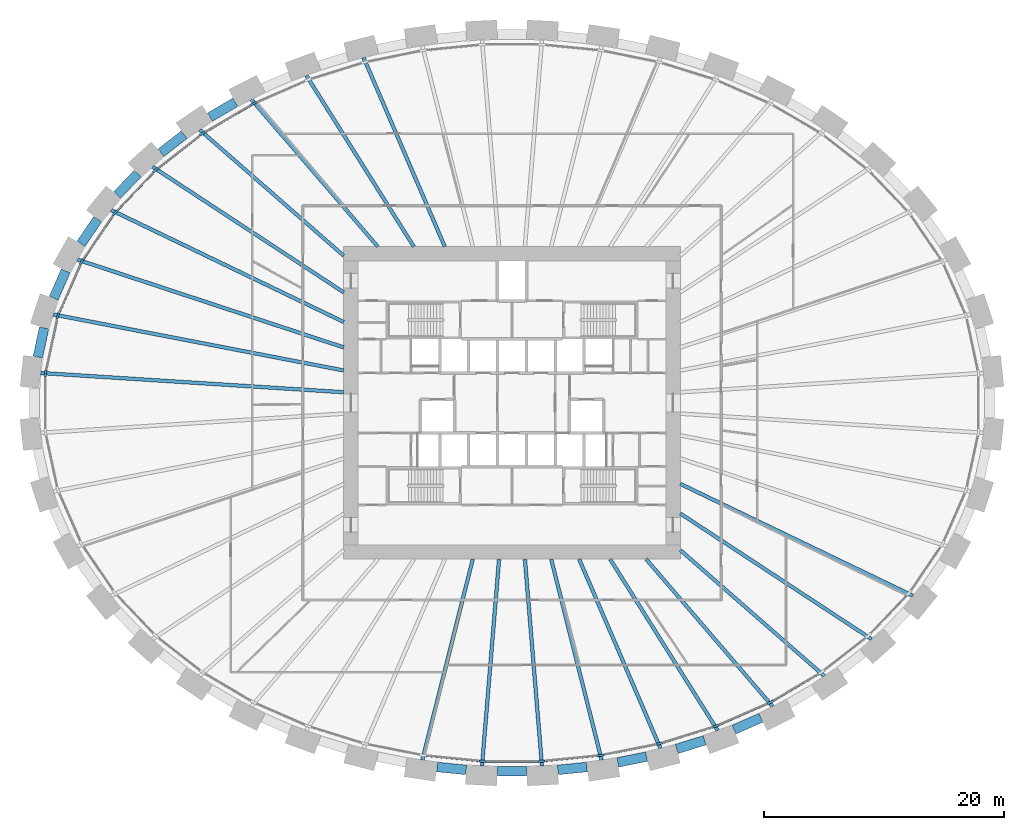
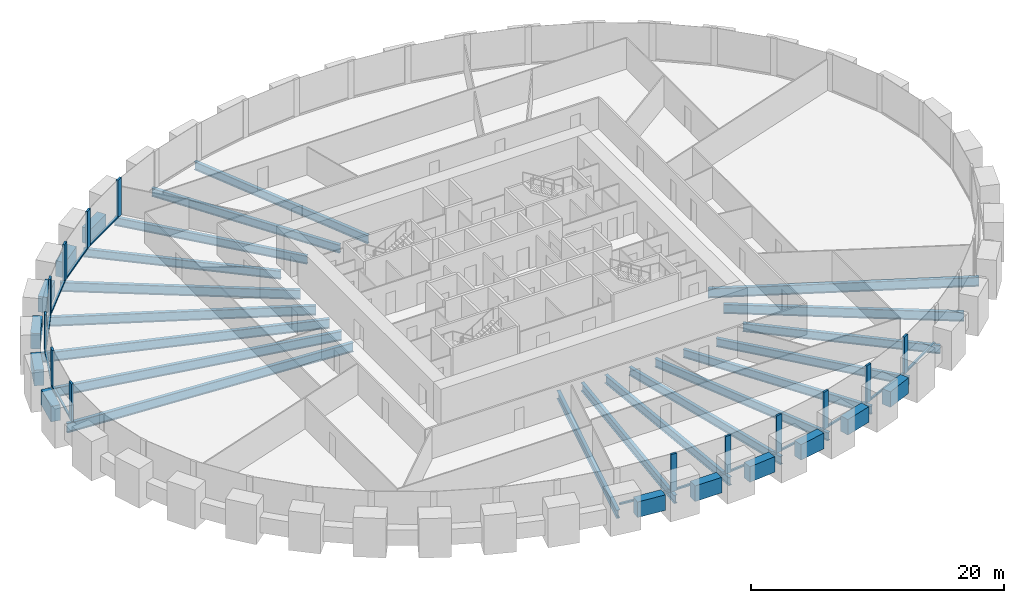
# One storey, part 2 of 11: 31 beams, 26 members, 1 element without a shape of its own.
"""IFC4 building model written with IfcOpenShell, lengths in metres."""

from ifc_helpers import new_model, si_unit, direction, frame, origin, origin_2d, place, context, subcontext, project, spatial, rectangle, i_section, extrude, source, transform, mapped, material, material_profile, profile_set, type_object, element, aggregate, save


model = new_model("IFC4")

# Units and contexts
model_context = context("Model", 3, precision=1e-05, world=origin(), true_north=direction((0.0, 1.0)))
body_context = subcontext(model_context, "Body", "Model", "MODEL_VIEW")
ifc_project = project(units=[si_unit("LENGTHUNIT", "METRE"), si_unit("AREAUNIT", "SQUARE_METRE"), si_unit("VOLUMEUNIT", "CUBIC_METRE"), si_unit("PLANEANGLEUNIT", "RADIAN"), si_unit("MASSUNIT", "GRAM", prefix="KILO")], contexts=[model_context])

# Site, building, storey
site_placement = place(None, origin())
site = spatial("IfcSite", under=ifc_project, at=site_placement, CompositionType="ELEMENT")
building_placement = place(site_placement, origin())
building = spatial("IfcBuilding", under=site, at=building_placement, Name="Embergate Tower", CompositionType="ELEMENT")
storey_placement = place(building_placement, frame((0.0, 0.0, 49.699951171875)))
storey = spatial("IfcBuildingStorey", under=building, at=storey_placement, Name="L08", CompositionType="ELEMENT", Elevation=49.699951171875)

# Beams
ifc_material_1 = material(Name="Concrete C70", Category="concrete")
ifc_material_profile_1 = material_profile(ifc_material_1, rectangle(XDim=0.800048828125, YDim=1.5, at=origin_2d()), Name="RC 800x1500")
ifc_profile_set_1 = profile_set([ifc_material_profile_1], Name="Concrete C70")
beam_type_1 = type_object("IfcBeamType", Name="Spandrel beam RC 800x1500 C70", PredefinedType="BEAM", material=ifc_profile_set_1)
shared_shape_1 = source(origin(), body_context, "Body", "SweptSolid", [
    extrude(rectangle(XDim=0.800048828125, YDim=1.5, at=origin_2d()), origin(), (0.0, 0.0, 1.0), 2.431396484375),
])
beam_1_placement = place(storey_placement, frame((8.801025390625, -29.906982421875, 0.0), z_axis=(0.980484010726, 0.196598842089, 0.0), x_axis=(-0.196598842089, 0.980484010726, 0.0)))
element("IfcBeam", 1, at=beam_1_placement, inside=storey, type_object=beam_type_1, Name="SPN-L08-34", PredefinedType="BEAM", context=body_context, shape_type="MappedRepresentation", body=[
    mapped(shared_shape_1, transform((0.0, 0.0, 0.0))),
])
shared_shape_2 = source(origin(), body_context, "Body", "SweptSolid", [
    extrude(rectangle(XDim=0.800048828125, YDim=1.5, at=origin_2d()), origin(), (0.0, 0.0, 1.0), 2.43408203125),
])
beam_2_placement = place(storey_placement, frame((13.7041015625, -28.785888671875, 0.0), z_axis=(0.954756195808, 0.297389654436, 0.0), x_axis=(-0.297389654436, 0.954756195808, 0.0)))
element("IfcBeam", 2, at=beam_2_placement, inside=storey, type_object=beam_type_1, Name="SPN-L08-35", PredefinedType="BEAM", context=body_context, shape_type="MappedRepresentation", body=[
    mapped(shared_shape_2, transform((0.0, 0.0, 0.0))),
])
shared_shape_3 = source(origin(), body_context, "Body", "SweptSolid", [
    extrude(rectangle(XDim=0.800048828125, YDim=1.5, at=origin_2d()), origin(), (0.0, 0.0, 1.0), 2.47412109375),
])
beam_3_placement = place(storey_placement, frame((-38.924072265625, 6.242919921875, 0.0), z_axis=(-0.210175960292, -0.977663574915, 0.0), x_axis=(0.977663574915, -0.210175960292, 0.0)))
element("IfcBeam", 3, at=beam_3_placement, inside=storey, type_object=beam_type_1, Name="SPN-L08-20", PredefinedType="BEAM", context=body_context, shape_type="MappedRepresentation", body=[
    mapped(shared_shape_3, transform((0.0, 0.0, 0.0))),
])
shared_shape_4 = source(origin(), body_context, "Body", "SweptSolid", [
    extrude(rectangle(XDim=0.800048828125, YDim=1.5, at=origin_2d()), origin(), (0.0, 0.0, 1.0), 2.470703125),
])
beam_4_placement = place(storey_placement, frame((-37.132080078125, 10.97998046875, 0.0), z_axis=(-0.401466670854, -0.915873633311, 0.0), x_axis=(0.915873633311, -0.401466670854, 0.0)))
element("IfcBeam", 4, at=beam_4_placement, inside=storey, type_object=beam_type_1, Name="SPN-L08-19", PredefinedType="BEAM", context=body_context, shape_type="MappedRepresentation", body=[
    mapped(shared_shape_4, transform((0.0, 0.0, 0.0))),
])
shared_shape_5 = source(origin(), body_context, "Body", "SweptSolid", [
    extrude(rectangle(XDim=0.800048828125, YDim=1.5, at=origin_2d()), origin(), (0.0, 0.0, 1.0), 2.46240234375),
])
beam_5_placement = place(storey_placement, frame((-34.470947265625, 15.281005859375, 0.0), z_axis=(-0.562478152622, -0.826812147844, 0.0), x_axis=(0.826812147844, -0.562478152622, 0.0)))
element("IfcBeam", 5, at=beam_5_placement, inside=storey, type_object=beam_type_1, Name="SPN-L08-18", PredefinedType="BEAM", context=body_context, shape_type="MappedRepresentation", body=[
    mapped(shared_shape_5, transform((0.0, 0.0, 0.0))),
])
shared_shape_6 = source(origin(), body_context, "Body", "SweptSolid", [
    extrude(rectangle(XDim=0.800048828125, YDim=1.5, at=origin_2d()), origin(), (0.0, 0.0, 1.0), 2.454345703125),
])
beam_6_placement = place(storey_placement, frame((-31.14404296875, 19.080078125, 0.0), z_axis=(-0.690146821467, -0.723669375349, 0.0), x_axis=(0.723669375349, -0.690146821467, 0.0)))
element("IfcBeam", 6, at=beam_6_placement, inside=storey, type_object=beam_type_1, Name="SPN-L08-17", PredefinedType="BEAM", context=body_context, shape_type="MappedRepresentation", body=[
    mapped(shared_shape_6, transform((0.0, 0.0, 0.0))),
])
shared_shape_7 = source(origin(), body_context, "Body", "SweptSolid", [
    extrude(rectangle(XDim=0.800048828125, YDim=1.5, at=origin_2d()), origin(), (0.0, 0.0, 1.0), 2.446533203125),
])
beam_7_placement = place(storey_placement, frame((-27.27392578125, 22.31494140625, 0.0), z_axis=(-0.788443262058, -0.615107488587, 0.0), x_axis=(0.615107488587, -0.788443262058, 0.0)))
element("IfcBeam", 7, at=beam_7_placement, inside=storey, type_object=beam_type_1, Name="SPN-L08-16", PredefinedType="BEAM", context=body_context, shape_type="MappedRepresentation", body=[
    mapped(shared_shape_7, transform((0.0, 0.0, 0.0))),
])
shared_shape_8 = source(origin(), body_context, "Body", "SweptSolid", [
    extrude(rectangle(XDim=0.800048828125, YDim=1.5, at=origin_2d()), origin(), (0.0, 0.0, 1.0), 2.440673828125),
])
beam_8_placement = place(storey_placement, frame((-23.02001953125, 25.013916015625, 0.0), z_axis=(-0.86208332714, -0.506766550857, 0.0), x_axis=(0.506766550857, -0.86208332714, 0.0)))
element("IfcBeam", 8, at=beam_8_placement, inside=storey, type_object=beam_type_1, Name="SPN-L08-15", PredefinedType="BEAM", context=body_context, shape_type="MappedRepresentation", body=[
    mapped(shared_shape_8, transform((0.0, 0.0, 0.0))),
])
shared_shape_9 = source(origin(), body_context, "Body", "SweptSolid", [
    extrude(rectangle(XDim=0.800048828125, YDim=1.5, at=origin_2d()), origin(), (0.0, 0.0, 1.0), 2.437255859375),
])
beam_9_placement = place(storey_placement, frame((18.470947265625, -27.172119140625, 0.0), z_axis=(0.916297523331, 0.400498250604, 0.0), x_axis=(-0.400498250604, 0.916297523331, 0.0)))
element("IfcBeam", 9, at=beam_9_placement, inside=storey, type_object=beam_type_1, Name="SPN-L08-36", PredefinedType="BEAM", context=body_context, shape_type="MappedRepresentation", body=[
    mapped(shared_shape_9, transform((0.0, 0.0, 0.0))),
])
shared_shape_10 = source(origin(), body_context, "Body", "SweptSolid", [
    extrude(rectangle(XDim=0.800048828125, YDim=1.5, at=origin_2d()), origin(), (0.0, 0.0, 1.0), 2.4296875),
])
for number, where, z_axis, x_axis, name in (
    (10, (-6.22998046875, -30.2900390625, 0.0), (0.995189223215, -0.097971475428, 0.0), (0.097971475428, 0.995189223215, 0.0), "SPN-L08-31"),
    (11, (3.81201171875, -30.528076171875, 0.0), (0.995189223215, 0.097971475428, 0.0), (-0.097971475428, 0.995189223215, 0.0), "SPN-L08-33"),
):
    element("IfcBeam", number, at=place(storey_placement, frame(where, z_axis=z_axis, x_axis=x_axis)), inside=storey, type_object=beam_type_1, Name=name, PredefinedType="BEAM", context=body_context, shape_type="MappedRepresentation", body=[
        mapped(shared_shape_10, transform((0.0, 0.0, 0.0))),
    ])
shared_shape_11 = source(origin(), body_context, "Body", "SweptSolid", [
    extrude(rectangle(XDim=0.800048828125, YDim=1.5, at=origin_2d()), origin(), (0.0, 0.0, 1.0), 2.43017578125),
])
beam_10_placement = place(storey_placement, frame((-1.215087890625, -30.655029296875, 0.0), z_axis=(1.0, 0.0, 0.0), x_axis=(0.0, 1.0, 0.0)))
element("IfcBeam", 12, at=beam_10_placement, inside=storey, type_object=beam_type_1, Name="SPN-L08-32", PredefinedType="BEAM", context=body_context, shape_type="MappedRepresentation", body=[
    mapped(shared_shape_11, transform((0.0, 0.0, 0.0))),
])
ifc_material_2 = material(Name="Steel Q355B", Category="steel")
ifc_material_profile_2 = material_profile(ifc_material_2, i_section(OverallWidth=0.300048828125, OverallDepth=0.89990234375, WebThickness=0.01611328125, FlangeThickness=0.028076171875, FilletRadius=0.028076171875, at=origin_2d()), Name="HN 900x300x16x28")
ifc_profile_set_2 = profile_set([ifc_material_profile_2], Name="Steel Q355 grade B")
beam_type_2 = type_object("IfcBeamType", Name="Radial girder HN 900x300x16x28", PredefinedType="BEAM", material=ifc_profile_set_2)
shared_shape_12 = source(origin(), body_context, "Body", "SweptSolid", [
    extrude(i_section(OverallWidth=0.300048828125, OverallDepth=0.89990234375, WebThickness=0.01611328125, FlangeThickness=0.028076171875, FilletRadius=0.028076171875, at=origin_2d()), origin(), (0.0, 0.0, 1.0), 25.250732421875),
])
beam_11_placement = place(storey_placement, frame((-39.199951171875, 2.490966796875, -0.64990234375), z_axis=(0.997987753724, -0.063406966633, 0.0), x_axis=(0.063406966633, 0.997987753724, 0.0)))
element("IfcBeam", 13, at=beam_11_placement, inside=storey, type_object=beam_type_2, Name="GIR-L08-21", PredefinedType="BEAM", context=body_context, shape_type="MappedRepresentation", body=[
    mapped(shared_shape_12, transform((0.0, 0.0, 0.0))),
])
shared_shape_13 = source(origin(), body_context, "Body", "SweptSolid", [
    extrude(i_section(OverallWidth=0.300048828125, OverallDepth=0.89990234375, WebThickness=0.01611328125, FlangeThickness=0.028076171875, FilletRadius=0.028076171875, at=origin_2d()), origin(), (0.0, 0.0, 1.0), 24.59619140625),
])
beam_12_placement = place(storey_placement, frame((-38.15087890625, 7.35888671875, -0.64990234375), z_axis=(0.981896685323, -0.18941726255, 0.0), x_axis=(0.18941726255, 0.981896685323, 0.0)))
element("IfcBeam", 14, at=beam_12_placement, inside=storey, type_object=beam_type_2, Name="GIR-L08-20", PredefinedType="BEAM", context=body_context, shape_type="MappedRepresentation", body=[
    mapped(shared_shape_13, transform((0.0, 0.0, 0.0))),
])
shared_shape_14 = source(origin(), body_context, "Body", "SweptSolid", [
    extrude(i_section(OverallWidth=0.300048828125, OverallDepth=0.89990234375, WebThickness=0.01611328125, FlangeThickness=0.028076171875, FilletRadius=0.028076171875, at=origin_2d()), origin(), (0.0, 0.0, 1.0), 23.324462890625),
])
beam_13_placement = place(storey_placement, frame((-36.15087890625, 11.922119140625, -0.64990234375), z_axis=(0.949687504939, -0.313199046873, 0.0), x_axis=(0.313199046873, 0.949687504939, 0.0)))
element("IfcBeam", 15, at=beam_13_placement, inside=storey, type_object=beam_type_2, Name="GIR-L08-19", PredefinedType="BEAM", context=body_context, shape_type="MappedRepresentation", body=[
    mapped(shared_shape_14, transform((0.0, 0.0, 0.0))),
])
shared_shape_15 = source(origin(), body_context, "Body", "SweptSolid", [
    extrude(i_section(OverallWidth=0.300048828125, OverallDepth=0.89990234375, WebThickness=0.01611328125, FlangeThickness=0.028076171875, FilletRadius=0.028076171875, at=origin_2d()), origin(), (0.0, 0.0, 1.0), 21.470458984375),
])
for number, where, z_axis, x_axis, name in (
    (16, (-33.347900390625, 16.04296875, -0.64990234375), (0.901143518966, -0.43352088557, 0.0), (0.43352088557, 0.901143518966, 0.0), "GIR-L08-18"),
    (17, (33.347900390625, -16.04296875, -0.64990234375), (-0.901143518966, 0.43352088557, 0.0), (-0.43352088557, -0.901143518966, 0.0), "GIR-L08-40"),
):
    element("IfcBeam", number, at=place(storey_placement, frame(where, z_axis=z_axis, x_axis=x_axis)), inside=storey, type_object=beam_type_2, Name=name, PredefinedType="BEAM", context=body_context, shape_type="MappedRepresentation", body=[
        mapped(shared_shape_15, transform((0.0, 0.0, 0.0))),
    ])
shared_shape_16 = source(origin(), body_context, "Body", "SweptSolid", [
    extrude(i_section(OverallWidth=0.300048828125, OverallDepth=0.89990234375, WebThickness=0.01611328125, FlangeThickness=0.028076171875, FilletRadius=0.028076171875, at=origin_2d()), origin(), (0.0, 0.0, 1.0), 19.03564453125),
])
for number, where, z_axis, x_axis, name in (
    (18, (-29.908935546875, 19.65087890625, -0.64990234375), (0.835743149678, -0.549120558499, 0.0), (0.549120558499, 0.835743149678, 0.0), "GIR-L08-17"),
    (19, (29.908935546875, -19.65087890625, -0.64990234375), (-0.835743149678, 0.549120558499, 0.0), (-0.549120558499, -0.835743149678, 0.0), "GIR-L08-39"),
):
    element("IfcBeam", number, at=place(storey_placement, frame(where, z_axis=z_axis, x_axis=x_axis)), inside=storey, type_object=beam_type_2, Name=name, PredefinedType="BEAM", context=body_context, shape_type="MappedRepresentation", body=[
        mapped(shared_shape_16, transform((0.0, 0.0, 0.0))),
    ])
ifc_material_profile_3 = material_profile(ifc_material_2, i_section(OverallWidth=0.300048828125, OverallDepth=0.800048828125, WebThickness=0.013916015625, FlangeThickness=0.02587890625, FilletRadius=0.028076171875, at=origin_2d()), Name="HN 800x300x14x26")
ifc_profile_set_3 = profile_set([ifc_material_profile_3], Name="Steel Q355 grade B")
beam_type_3 = type_object("IfcBeamType", Name="Radial girder HN 800x300x14x26", PredefinedType="BEAM", material=ifc_profile_set_3)
shared_shape_17 = source(origin(), body_context, "Body", "SweptSolid", [
    extrude(i_section(OverallWidth=0.300048828125, OverallDepth=0.800048828125, WebThickness=0.013916015625, FlangeThickness=0.02587890625, FilletRadius=0.028076171875, at=origin_2d()), origin(), (0.0, 0.0, 1.0), 15.91162109375),
])
for number, where, z_axis, x_axis, name in (
    (20, (-25.97802734375, 22.718017578125, -0.599853515625), (0.752783862885, -0.658267769057, 0.0), (0.658267769057, 0.752783862885, 0.0), "GIR-L08-16"),
    (21, (25.97802734375, -22.718017578125, -0.599853515625), (-0.752783862885, 0.658267769057, 0.0), (-0.658267769057, -0.752783862885, 0.0), "GIR-L08-38"),
):
    element("IfcBeam", number, at=place(storey_placement, frame(where, z_axis=z_axis, x_axis=x_axis)), inside=storey, type_object=beam_type_3, Name=name, PredefinedType="BEAM", context=body_context, shape_type="MappedRepresentation", body=[
        mapped(shared_shape_17, transform((0.0, 0.0, 0.0))),
    ])
shared_shape_18 = source(origin(), body_context, "Body", "SweptSolid", [
    extrude(i_section(OverallWidth=0.300048828125, OverallDepth=0.800048828125, WebThickness=0.013916015625, FlangeThickness=0.02587890625, FilletRadius=0.028076171875, at=origin_2d()), origin(), (0.0, 0.0, 1.0), 16.1416015625),
])
for number, where, z_axis, x_axis, name in (
    (22, (-21.679931640625, 25.24609375, -0.599853515625), (0.651477424903, -0.758668020178, 0.0), (0.758668020178, 0.651477424903, 0.0), "GIR-L08-15"),
    (23, (21.679931640625, -25.24609375, -0.599853515625), (-0.651477424903, 0.758668020178, 0.0), (-0.758668020178, -0.651477424903, 0.0), "GIR-L08-37"),
):
    element("IfcBeam", number, at=place(storey_placement, frame(where, z_axis=z_axis, x_axis=x_axis)), inside=storey, type_object=beam_type_3, Name=name, PredefinedType="BEAM", context=body_context, shape_type="MappedRepresentation", body=[
        mapped(shared_shape_18, transform((0.0, 0.0, 0.0))),
    ])
shared_shape_19 = source(origin(), body_context, "Body", "SweptSolid", [
    extrude(i_section(OverallWidth=0.300048828125, OverallDepth=0.800048828125, WebThickness=0.013916015625, FlangeThickness=0.02587890625, FilletRadius=0.028076171875, at=origin_2d()), origin(), (0.0, 0.0, 1.0), 16.81884765625),
])
for number, where, z_axis, x_axis, name in (
    (24, (-17.110107421875, 27.242919921875, -0.599853515625), (0.531846576707, -0.846840728145, 0.0), (0.846840728145, 0.531846576707, 0.0), "GIR-L08-14"),
    (25, (17.110107421875, -27.242919921875, -0.599853515625), (-0.531846576707, 0.846840728145, 0.0), (-0.846840728145, -0.531846576707, 0.0), "GIR-L08-36"),
):
    element("IfcBeam", number, at=place(storey_placement, frame(where, z_axis=z_axis, x_axis=x_axis)), inside=storey, type_object=beam_type_3, Name=name, PredefinedType="BEAM", context=body_context, shape_type="MappedRepresentation", body=[
        mapped(shared_shape_19, transform((0.0, 0.0, 0.0))),
    ])
shared_shape_20 = source(origin(), body_context, "Body", "SweptSolid", [
    extrude(i_section(OverallWidth=0.300048828125, OverallDepth=0.800048828125, WebThickness=0.013916015625, FlangeThickness=0.02587890625, FilletRadius=0.028076171875, at=origin_2d()), origin(), (0.0, 0.0, 1.0), 17.118408203125),
])
for number, where, z_axis, x_axis, name in (
    (26, (-12.347900390625, 28.72705078125, -0.599853515625), (0.39489847585, -0.918724764971, 0.0), (0.918724764971, 0.39489847585, 0.0), "GIR-L08-13"),
    (27, (12.347900390625, -28.72705078125, -0.599853515625), (-0.39489847585, 0.918724764971, 0.0), (-0.918724764971, -0.39489847585, 0.0), "GIR-L08-35"),
):
    element("IfcBeam", number, at=place(storey_placement, frame(where, z_axis=z_axis, x_axis=x_axis)), inside=storey, type_object=beam_type_3, Name=name, PredefinedType="BEAM", context=body_context, shape_type="MappedRepresentation", body=[
        mapped(shared_shape_20, transform((0.0, 0.0, 0.0))),
    ])
shared_shape_21 = source(origin(), body_context, "Body", "SweptSolid", [
    extrude(i_section(OverallWidth=0.300048828125, OverallDepth=0.800048828125, WebThickness=0.013916015625, FlangeThickness=0.02587890625, FilletRadius=0.028076171875, at=origin_2d()), origin(), (0.0, 0.0, 1.0), 17.225341796875),
])
for number, where, z_axis, x_axis, name in (
    (28, (-7.45703125, -29.70703125, -0.599853515625), (0.243482617431, 0.969905260842, 0.0), (-0.969905260842, 0.243482617431, 0.0), "GIR-L08-31"),
    (29, (7.45703125, -29.70703125, -0.599853515625), (-0.243482617431, 0.969905260842, 0.0), (-0.969905260842, -0.243482617431, 0.0), "GIR-L08-34"),
):
    element("IfcBeam", number, at=place(storey_placement, frame(where, z_axis=z_axis, x_axis=x_axis)), inside=storey, type_object=beam_type_3, Name=name, PredefinedType="BEAM", context=body_context, shape_type="MappedRepresentation", body=[
        mapped(shared_shape_21, transform((0.0, 0.0, 0.0))),
    ])
shared_shape_22 = source(origin(), body_context, "Body", "SweptSolid", [
    extrude(i_section(OverallWidth=0.300048828125, OverallDepth=0.800048828125, WebThickness=0.013916015625, FlangeThickness=0.02587890625, FilletRadius=0.028076171875, at=origin_2d()), origin(), (0.0, 0.0, 1.0), 17.253662109375),
])
for number, where, z_axis, x_axis, name in (
    (30, (-2.493896484375, -30.195068359375, -0.599853515625), (0.08229715851, 0.99660783546, 0.0), (-0.99660783546, 0.08229715851, 0.0), "GIR-L08-32"),
    (31, (2.493896484375, -30.195068359375, -0.599853515625), (-0.08229715851, 0.99660783546, 0.0), (-0.99660783546, -0.08229715851, 0.0), "GIR-L08-33"),
):
    element("IfcBeam", number, at=place(storey_placement, frame(where, z_axis=z_axis, x_axis=x_axis)), inside=storey, type_object=beam_type_3, Name=name, PredefinedType="BEAM", context=body_context, shape_type="MappedRepresentation", body=[
        mapped(shared_shape_22, transform((0.0, 0.0, 0.0))),
    ])

# Curtain wall, members
ifc_material_3 = material(Name="Aluminium and glass", Category="aluminium")
curtain_wall_type = type_object("IfcCurtainWallType", Name="Recessed office glazing", PredefinedType="NOTDEFINED", material=ifc_material_3)
curtain_wall_placement = place(storey_placement, origin())
curtain_wall = element("IfcCurtainWall", 32, at=curtain_wall_placement, inside=storey, type_object=curtain_wall_type, Name="Recessed office glazing ring", ObjectType="RECESSED OFFICE GLAZING", PredefinedType="USERDEFINED")
ifc_material_4 = material(Name="Aluminium, thermally broken", Category="aluminium")
ifc_material_profile_4 = material_profile(ifc_material_4, rectangle(XDim=0.179931640625, YDim=0.14990234375, at=origin_2d()), Name="AL 150x180")
ifc_profile_set_4 = profile_set([ifc_material_profile_4], Name="Aluminium, thermally broken")
member_type_1 = type_object("IfcMemberType", Name="Office sill transom", PredefinedType="USERDEFINED", material=ifc_profile_set_4)
shared_shape_23 = source(origin(), body_context, "Body", "SweptSolid", [
    extrude(rectangle(XDim=0.179931640625, YDim=0.14990234375, at=origin_2d()), origin(), (0.0, 0.0, 1.0), 4.379638671875),
])
member_1_placement = place(storey_placement, frame((-37.835693359375, 6.984375, 0.074951171875), z_axis=(-0.210374128921, -0.977620952047, 0.0), x_axis=(0.977620952047, -0.210374128921, 0.0)))
member_1 = element("IfcMember", 33, at=member_1_placement, type_object=member_type_1, Name="CW transom 21.1", ObjectType="TRANSOM", PredefinedType="USERDEFINED", context=body_context, shape_type="MappedRepresentation", body=[
    mapped(shared_shape_23, transform((0.0, 0.0, 0.0))),
])
shared_shape_24 = source(origin(), body_context, "Body", "SweptSolid", [
    extrude(rectangle(XDim=0.179931640625, YDim=0.14990234375, at=origin_2d()), origin(), (0.0, 0.0, 1.0), 4.38671875),
])
member_2_placement = place(storey_placement, frame((-35.91455078125, 11.493896484375, 0.074951171875), z_axis=(-0.401656581877, -0.915790363694, 0.0), x_axis=(0.915790363694, -0.401656581877, 0.0)))
member_2 = element("IfcMember", 34, at=member_2_placement, type_object=member_type_1, Name="CW transom 20.1", ObjectType="TRANSOM", PredefinedType="USERDEFINED", context=body_context, shape_type="MappedRepresentation", body=[
    mapped(shared_shape_24, transform((0.0, 0.0, 0.0))),
])
shared_shape_25 = source(origin(), body_context, "Body", "SweptSolid", [
    extrude(rectangle(XDim=0.179931640625, YDim=0.14990234375, at=origin_2d()), origin(), (0.0, 0.0, 1.0), 4.395751953125),
])
member_3_placement = place(storey_placement, frame((-33.19189453125, 15.581787109375, 0.074951171875), z_axis=(-0.562354076768, -0.826896542708, 0.0), x_axis=(0.826896542708, -0.562354076768, 0.0)))
member_3 = element("IfcMember", 35, at=member_3_placement, type_object=member_type_1, Name="CW transom 19.1", ObjectType="TRANSOM", PredefinedType="USERDEFINED", context=body_context, shape_type="MappedRepresentation", body=[
    mapped(shared_shape_25, transform((0.0, 0.0, 0.0))),
])
shared_shape_26 = source(origin(), body_context, "Body", "SweptSolid", [
    extrude(rectangle(XDim=0.179931640625, YDim=0.14990234375, at=origin_2d()), origin(), (0.0, 0.0, 1.0), 4.404296875),
])
member_4_placement = place(storey_placement, frame((-29.826904296875, 19.17236328125, 0.074951171875), z_axis=(-0.690139479121, -0.723676377504, 0.0), x_axis=(0.723676377504, -0.690139479121, 0.0)))
member_4 = element("IfcMember", 36, at=member_4_placement, type_object=member_type_1, Name="CW transom 18.1", ObjectType="TRANSOM", PredefinedType="USERDEFINED", context=body_context, shape_type="MappedRepresentation", body=[
    mapped(shared_shape_26, transform((0.0, 0.0, 0.0))),
])
shared_shape_27 = source(origin(), body_context, "Body", "SweptSolid", [
    extrude(rectangle(XDim=0.179931640625, YDim=0.14990234375, at=origin_2d()), origin(), (0.0, 0.0, 1.0), 4.412109375),
])
member_5_placement = place(storey_placement, frame((-25.96435546875, 22.235107421875, 0.074951171875), z_axis=(-0.788311201142, -0.615276726485, 0.0), x_axis=(0.615276726485, -0.788311201142, 0.0)))
member_5 = element("IfcMember", 37, at=member_5_placement, type_object=member_type_1, Name="CW transom 17.1", ObjectType="TRANSOM", PredefinedType="USERDEFINED", context=body_context, shape_type="MappedRepresentation", body=[
    mapped(shared_shape_27, transform((0.0, 0.0, 0.0))),
])
shared_shape_28 = source(origin(), body_context, "Body", "SweptSolid", [
    extrude(rectangle(XDim=0.179931640625, YDim=0.14990234375, at=origin_2d()), origin(), (0.0, 0.0, 1.0), 4.417724609375),
])
member_6_placement = place(storey_placement, frame((-21.726806640625, 24.765869140625, 0.074951171875), z_axis=(-0.862052105816, -0.506819659109, 0.0), x_axis=(0.506819659109, -0.862052105816, 0.0)))
member_6 = element("IfcMember", 38, at=member_6_placement, type_object=member_type_1, Name="CW transom 16.1", ObjectType="TRANSOM", PredefinedType="USERDEFINED", context=body_context, shape_type="MappedRepresentation", body=[
    mapped(shared_shape_28, transform((0.0, 0.0, 0.0))),
])
member_7_placement = place(storey_placement, frame((21.726806640625, -24.765869140625, 0.074951171875), z_axis=(0.862052105816, 0.506819659109, 0.0), x_axis=(-0.506819659109, 0.862052105816, 0.0)))
member_7 = element("IfcMember", 39, at=member_7_placement, type_object=member_type_1, Name="CW transom 38.1", ObjectType="TRANSOM", PredefinedType="USERDEFINED", context=body_context, shape_type="MappedRepresentation", body=[
    mapped(shared_shape_28, transform((0.0, 0.0, 0.0))),
])
shared_shape_29 = source(origin(), body_context, "Body", "SweptSolid", [
    extrude(rectangle(XDim=0.179931640625, YDim=0.14990234375, at=origin_2d()), origin(), (0.0, 0.0, 1.0), 4.422607421875),
])
member_8_placement = place(storey_placement, frame((17.21240234375, -26.773681640625, 0.074951171875), z_axis=(0.916221938908, 0.400671135301, 0.0), x_axis=(-0.400671135301, 0.916221938908, 0.0)))
member_8 = element("IfcMember", 40, at=member_8_placement, type_object=member_type_1, Name="CW transom 37.1", ObjectType="TRANSOM", PredefinedType="USERDEFINED", context=body_context, shape_type="MappedRepresentation", body=[
    mapped(shared_shape_29, transform((0.0, 0.0, 0.0))),
])
shared_shape_30 = source(origin(), body_context, "Body", "SweptSolid", [
    extrude(rectangle(XDim=0.179931640625, YDim=0.14990234375, at=origin_2d()), origin(), (0.0, 0.0, 1.0), 4.42578125),
])
member_9_placement = place(storey_placement, frame((12.500244140625, -28.27099609375, 0.074951171875), z_axis=(0.954773981252, 0.297332549049, 0.0), x_axis=(-0.297332549049, 0.954773981252, 0.0)))
member_9 = element("IfcMember", 41, at=member_9_placement, type_object=member_type_1, Name="CW transom 36.1", ObjectType="TRANSOM", PredefinedType="USERDEFINED", context=body_context, shape_type="MappedRepresentation", body=[
    mapped(shared_shape_30, transform((0.0, 0.0, 0.0))),
])
shared_shape_31 = source(origin(), body_context, "Body", "SweptSolid", [
    extrude(rectangle(XDim=0.179931640625, YDim=0.14990234375, at=origin_2d()), origin(), (0.0, 0.0, 1.0), 4.427978515625),
])
member_10_placement = place(storey_placement, frame((7.655517578125, -29.270263671875, 0.074951171875), z_axis=(0.980470250175, 0.196667456693, 0.0), x_axis=(-0.196667456693, 0.980470250175, 0.0)))
member_10 = element("IfcMember", 42, at=member_10_placement, type_object=member_type_1, Name="CW transom 35.1", ObjectType="TRANSOM", PredefinedType="USERDEFINED", context=body_context, shape_type="MappedRepresentation", body=[
    mapped(shared_shape_31, transform((0.0, 0.0, 0.0))),
])
shared_shape_32 = source(origin(), body_context, "Body", "SweptSolid", [
    extrude(rectangle(XDim=0.179931640625, YDim=0.14990234375, at=origin_2d()), origin(), (0.0, 0.0, 1.0), 4.42919921875),
])
member_11_placement = place(storey_placement, frame((-7.1416015625, -29.3466796875, 0.074951171875), z_axis=(0.995196882691, -0.097893639638, 0.0), x_axis=(0.097893639638, 0.995196882691, 0.0)))
member_11 = element("IfcMember", 43, at=member_11_placement, type_object=member_type_1, Name="CW transom 32.1", ObjectType="TRANSOM", PredefinedType="USERDEFINED", context=body_context, shape_type="MappedRepresentation", body=[
    mapped(shared_shape_32, transform((0.0, 0.0, 0.0))),
])
member_12_placement = place(storey_placement, frame((2.733642578125, -29.7802734375, 0.074951171875), z_axis=(0.995196882691, 0.097893639638, 0.0), x_axis=(-0.097893639638, 0.995196882691, 0.0)))
member_12 = element("IfcMember", 44, at=member_12_placement, type_object=member_type_1, Name="CW transom 34.1", ObjectType="TRANSOM", PredefinedType="USERDEFINED", context=body_context, shape_type="MappedRepresentation", body=[
    mapped(shared_shape_32, transform((0.0, 0.0, 0.0))),
])
shared_shape_33 = source(origin(), body_context, "Body", "SweptSolid", [
    extrude(rectangle(XDim=0.179931640625, YDim=0.14990234375, at=origin_2d()), origin(), (0.0, 0.0, 1.0), 4.4296875),
])
member_13_placement = place(storey_placement, frame((-2.21484375, -29.8056640625, 0.074951171875), z_axis=(1.0, 0.0, 0.0), x_axis=(0.0, 1.0, 0.0)))
member_13 = element("IfcMember", 45, at=member_13_placement, type_object=member_type_1, Name="CW transom 33.1", ObjectType="TRANSOM", PredefinedType="USERDEFINED", context=body_context, shape_type="MappedRepresentation", body=[
    mapped(shared_shape_33, transform((0.0, 0.0, 0.0))),
])
ifc_material_profile_5 = material_profile(ifc_material_4, rectangle(XDim=0.179931640625, YDim=0.52001953125, at=origin_2d()), Name="AL 520x180")
ifc_profile_set_5 = profile_set([ifc_material_profile_5], Name="Aluminium, thermally broken")
member_type_2 = type_object("IfcMemberType", Name="Office mullion", PredefinedType="MULLION", material=ifc_profile_set_5)
shared_shape_34 = source(origin(), body_context, "Body", "SweptSolid", [
    extrude(rectangle(XDim=0.179931640625, YDim=0.52001953125, at=origin_2d()), origin(), (0.0, 0.0, 1.0), 3.60009765625),
])
member_14_placement = place(storey_placement, frame((-21.502685546875, 24.897705078125, 0.0), z_axis=(0.0, 0.0, 1.0), x_axis=(0.454511380526, -0.890740930334, 0.0)))
member_14 = element("IfcMember", 46, at=member_14_placement, type_object=member_type_2, Name="CW mullion 16", PredefinedType="MULLION", context=body_context, shape_type="MappedRepresentation", body=[
    mapped(shared_shape_34, transform((0.0, 0.0, 0.0))),
])
member_15_placement = place(storey_placement, frame((-25.759521484375, 22.39501953125, 0.0), z_axis=(0.0, 0.0, 1.0), x_axis=(0.562217618544, -0.826989328467, 0.0)))
member_15 = element("IfcMember", 47, at=member_15_placement, type_object=member_type_2, Name="CW mullion 17", PredefinedType="MULLION", context=body_context, shape_type="MappedRepresentation", body=[
    mapped(shared_shape_34, transform((0.0, 0.0, 0.0))),
])
member_16_placement = place(storey_placement, frame((-29.647216796875, 19.360595703125, 0.0), z_axis=(0.0, 0.0, 1.0), x_axis=(0.671229121411, -0.741249935292, 0.0)))
member_16 = element("IfcMember", 48, at=member_16_placement, type_object=member_type_2, Name="CW mullion 18", PredefinedType="MULLION", context=body_context, shape_type="MappedRepresentation", body=[
    mapped(shared_shape_34, transform((0.0, 0.0, 0.0))),
])
member_17_placement = place(storey_placement, frame((-33.0458984375, 15.796875, 0.0), z_axis=(0.0, 0.0, 1.0), x_axis=(0.777875854755, -0.628417977615, 0.0)))
member_17 = element("IfcMember", 49, at=member_17_placement, type_object=member_type_2, Name="CW mullion 19", PredefinedType="MULLION", context=body_context, shape_type="MappedRepresentation", body=[
    mapped(shared_shape_34, transform((0.0, 0.0, 0.0))),
])
member_18_placement = place(storey_placement, frame((-35.81005859375, 11.732177734375, 0.0), z_axis=(0.0, 0.0, 1.0), x_axis=(0.875004430664, -0.484114910242, 0.0)))
member_18 = element("IfcMember", 50, at=member_18_placement, type_object=member_type_2, Name="CW mullion 20", PredefinedType="MULLION", context=body_context, shape_type="MappedRepresentation", body=[
    mapped(shared_shape_34, transform((0.0, 0.0, 0.0))),
])
member_19_placement = place(storey_placement, frame((-37.781005859375, 7.238525390625, 0.0), z_axis=(0.0, 0.0, 1.0), x_axis=(0.95149940886, -0.307650572791, 0.0)))
member_19 = element("IfcMember", 51, at=member_19_placement, type_object=member_type_2, Name="CW mullion 21", PredefinedType="MULLION", context=body_context, shape_type="MappedRepresentation", body=[
    mapped(shared_shape_34, transform((0.0, 0.0, 0.0))),
])
member_20_placement = place(storey_placement, frame((-38.811767578125, 2.448486328125, 0.0), z_axis=(0.0, 0.0, 1.0), x_axis=(0.994385139431, -0.105821521816, 0.0)))
member_20 = element("IfcMember", 52, at=member_20_placement, type_object=member_type_2, Name="CW mullion 22", PredefinedType="MULLION", context=body_context, shape_type="MappedRepresentation", body=[
    mapped(shared_shape_34, transform((0.0, 0.0, 0.0))),
])
member_21_placement = place(storey_placement, frame((-2.474853515625, -29.8056640625, 0.0), z_axis=(0.0, 0.0, 1.0), x_axis=(0.048971796621, 0.998800161762, 0.0)))
member_21 = element("IfcMember", 53, at=member_21_placement, type_object=member_type_2, Name="CW mullion 33", PredefinedType="MULLION", context=body_context, shape_type="MappedRepresentation", body=[
    mapped(shared_shape_34, transform((0.0, 0.0, 0.0))),
])
member_22_placement = place(storey_placement, frame((2.474853515625, -29.8056640625, 0.0), z_axis=(0.0, 0.0, 1.0), x_axis=(-0.048971796621, 0.998800161762, 0.0)))
member_22 = element("IfcMember", 54, at=member_22_placement, type_object=member_type_2, Name="CW mullion 34", PredefinedType="MULLION", context=body_context, shape_type="MappedRepresentation", body=[
    mapped(shared_shape_34, transform((0.0, 0.0, 0.0))),
])
member_23_placement = place(storey_placement, frame((7.400390625, -29.3212890625, 0.0), z_axis=(0.0, 0.0, 1.0), x_axis=(-0.147412382818, 0.989075118174, 0.0)))
member_23 = element("IfcMember", 55, at=member_23_placement, type_object=member_type_2, Name="CW mullion 35", PredefinedType="MULLION", context=body_context, shape_type="MappedRepresentation", body=[
    mapped(shared_shape_34, transform((0.0, 0.0, 0.0))),
])
member_24_placement = place(storey_placement, frame((12.251953125, -28.348388671875, 0.0), z_axis=(0.0, 0.0, 1.0), x_axis=(-0.24731188137, 0.968935928394, 0.0)))
member_24 = element("IfcMember", 56, at=member_24_placement, type_object=member_type_2, Name="CW mullion 36", PredefinedType="MULLION", context=body_context, shape_type="MappedRepresentation", body=[
    mapped(shared_shape_34, transform((0.0, 0.0, 0.0))),
])
member_25_placement = place(storey_placement, frame((16.97412109375, -26.877685546875, 0.0), z_axis=(0.0, 0.0, 1.0), x_axis=(-0.349502682851, 0.936935363128, 0.0)))
member_25 = element("IfcMember", 57, at=member_25_placement, type_object=member_type_2, Name="CW mullion 37", PredefinedType="MULLION", context=body_context, shape_type="MappedRepresentation", body=[
    mapped(shared_shape_34, transform((0.0, 0.0, 0.0))),
])
member_26_placement = place(storey_placement, frame((21.502685546875, -24.897705078125, 0.0), z_axis=(0.0, 0.0, 1.0), x_axis=(-0.454511380526, 0.890740930334, 0.0)))
member_26 = element("IfcMember", 58, at=member_26_placement, type_object=member_type_2, Name="CW mullion 38", PredefinedType="MULLION", context=body_context, shape_type="MappedRepresentation", body=[
    mapped(shared_shape_34, transform((0.0, 0.0, 0.0))),
])
aggregate(curtain_wall, [member_14, member_15, member_16, member_17, member_18, member_19, member_20, member_21, member_22, member_23, member_24, member_25, member_26, member_6, member_5, member_4, member_3, member_2, member_1, member_11, member_13, member_12, member_10, member_9, member_8, member_7])

save(model, "model.ifc")
